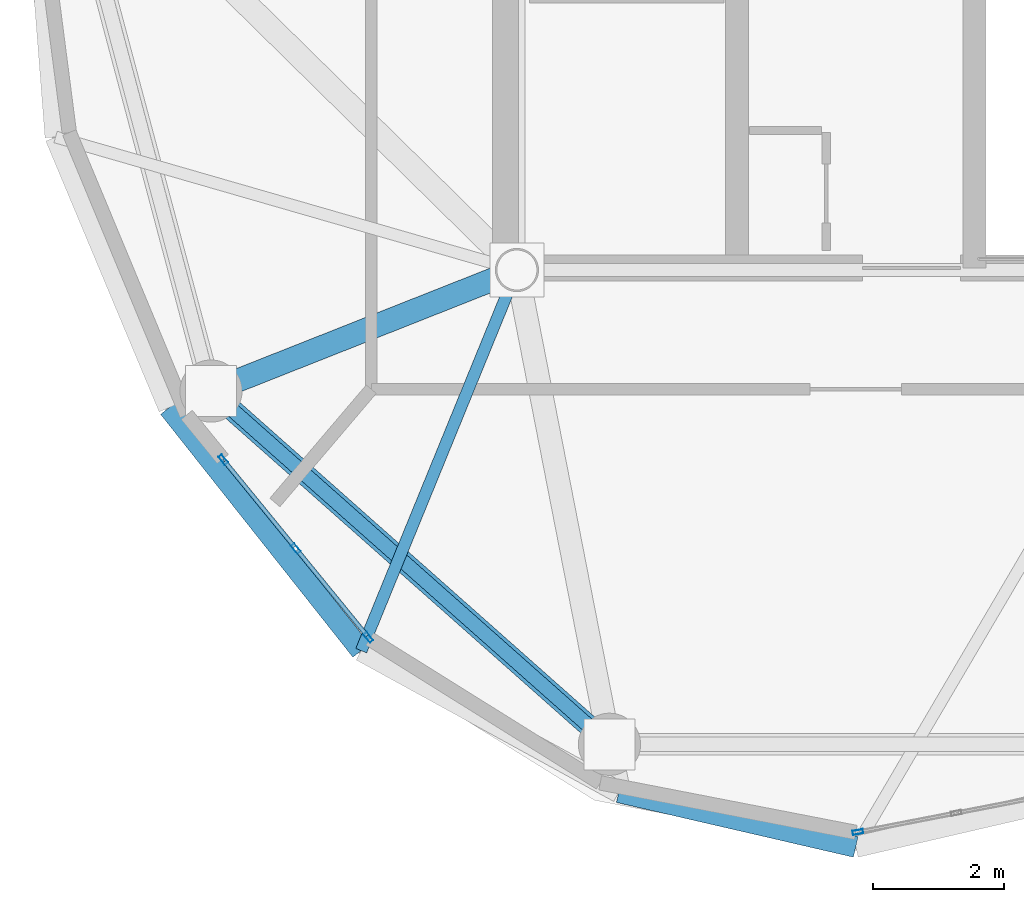
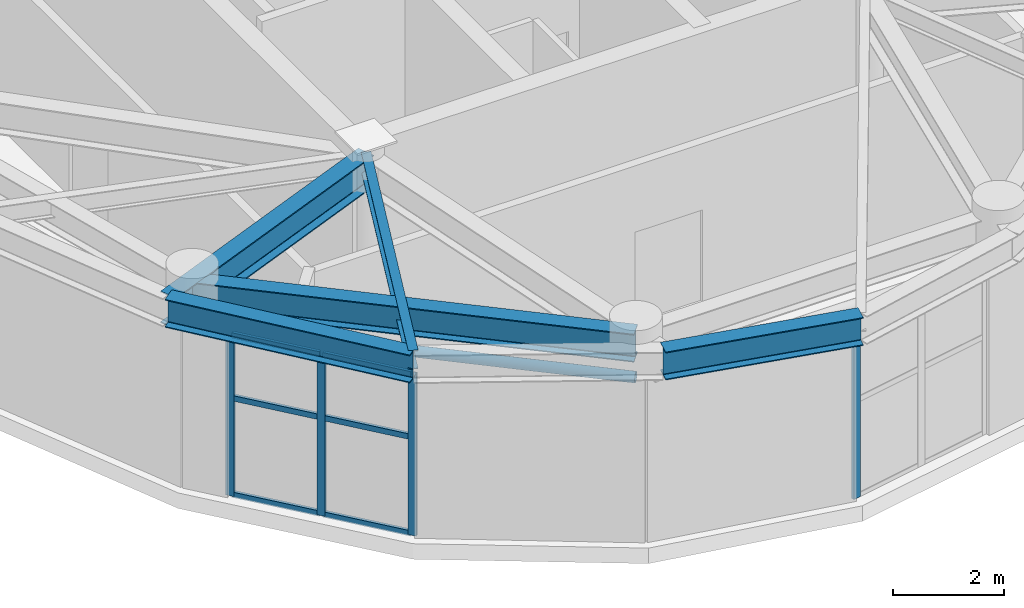
# One storey, part 2 of 26: 11 members, 5 beams, 2 elements without a shape of their own.
"""IFC4 building model written with IfcOpenShell, lengths in metres."""

from ifc_helpers import new_model, si_unit, direction, frame, origin, origin_2d, place, context, subcontext, project, spatial, hollow_rectangle, hollow_circle, i_section, extrude, material, layer, layer_set, material_profile, profile_set, type_object, element, aggregate, save


model = new_model("IFC4")

# Units and contexts
model_context = context("Model", 3, precision=1e-05, world=origin(), true_north=direction((0.0, 1.0)))
body_context = subcontext(model_context, "Body", "Model", "MODEL_VIEW")
ifc_project = project(units=[si_unit("LENGTHUNIT", "METRE"), si_unit("AREAUNIT", "SQUARE_METRE"), si_unit("VOLUMEUNIT", "CUBIC_METRE"), si_unit("PLANEANGLEUNIT", "RADIAN"), si_unit("MASSUNIT", "GRAM", prefix="KILO")], contexts=[model_context])

# Site, building, storey
site_placement = place(None, origin())
site = spatial("IfcSite", under=ifc_project, at=site_placement, CompositionType="ELEMENT")
building_placement = place(site_placement, origin())
building = spatial("IfcBuilding", under=site, at=building_placement, Name="Cununo Teusaquillo Station Towers", CompositionType="ELEMENT")
storey_placement = place(building_placement, frame((0.0, 0.0, 240.330078125)))
storey = spatial("IfcBuildingStorey", under=building, at=storey_placement, Name="L76", CompositionType="ELEMENT", Elevation=240.330078125)

# Beams
ifc_material_1 = material(Name="Steel ASTM A572 Grade 50", Category="steel")
ifc_material_profile_1 = material_profile(ifc_material_1, i_section(OverallWidth=0.180908203125, OverallDepth=0.4169921875, WebThickness=0.010986328125, FlangeThickness=0.018310546875, FilletRadius=0.012939453125, at=origin_2d()), Name="W16X57")
ifc_profile_set_1 = profile_set([ifc_material_profile_1], Name="Steel ASTM A572 Grade 50")
beam_type_1 = type_object("IfcBeamType", Name="BM-JOIST-1", PredefinedType="JOIST", material=ifc_profile_set_1)
beam_1_placement = place(storey_placement, frame((11.324951171875, 17.6201171875, 3.991455078125), z_axis=(-0.378576847217, -0.925569862707, 0.0), x_axis=(0.925569862707, -0.378576847217, 0.0)))
element("IfcBeam", 1, at=beam_1_placement, inside=storey, type_object=beam_type_1, Name="L76 Tower A Radial Spandrel Joist V13", PredefinedType="JOIST", context=body_context, shape_type="SweptSolid", body=[
    extrude(i_section(OverallWidth=0.180908203125, OverallDepth=0.4169921875, WebThickness=0.010986328125, FlangeThickness=0.018310546875, FilletRadius=0.012939453125, at=origin_2d()), origin(), (0.0, 0.0, 1.0), 6.28125),
])
ifc_material_2 = material(Name="Steel ASTM A572 Grade 50", Category="steel")
ifc_material_profile_2 = material_profile(ifc_material_2, i_section(OverallWidth=0.35498046875, OverallDepth=0.696044921875, WebThickness=0.015380859375, FlangeThickness=0.02490234375, FilletRadius=0.01806640625, at=origin_2d()), Name="W27X146")
ifc_profile_set_2 = profile_set([ifc_material_profile_2], Name="Steel ASTM A572 Grade 50")
beam_type_2 = type_object("IfcBeamType", Name="BM-PLNT-G1", PredefinedType="BEAM", material=ifc_profile_set_2)
beam_2_placement = place(storey_placement, frame((11.324951171875, 17.6201171875, 3.851806640625), z_axis=(-0.929851670487, -0.36793460138, 0.0), x_axis=(0.36793460138, -0.929851670487, 0.0)))
element("IfcBeam", 2, at=beam_2_placement, inside=storey, type_object=beam_type_2, Name="L76 Tower A Continuous Overhanging Radial Girder 07", PredefinedType="BEAM", context=body_context, shape_type="SweptSolid", body=[
    extrude(i_section(OverallWidth=0.35498046875, OverallDepth=0.696044921875, WebThickness=0.015380859375, FlangeThickness=0.02490234375, FilletRadius=0.01806640625, at=origin_2d()), origin(), (0.0, 0.0, 1.0), 5.71630859375),
])
ifc_material_3 = material(Name="Steel ASTM A572 Grade 50", Category="steel")
ifc_material_profile_3 = material_profile(ifc_material_3, i_section(OverallWidth=0.324951171875, OverallDepth=0.615966796875, WebThickness=0.013916015625, FlangeThickness=0.021484375, FilletRadius=0.01611328125, at=origin_2d()), Name="W24X117")
ifc_profile_set_3 = profile_set([ifc_material_profile_3], Name="Steel ASTM A572 Grade 50")
beam_type_3 = type_object("IfcBeamType", Name="BM-PLNT-G2", PredefinedType="BEAM", material=ifc_profile_set_3)
beam_3_placement = place(storey_placement, frame((6.652587890625, 15.771484375, 3.891845703125), z_axis=(0.74832120039, -0.66333655187, 0.0), x_axis=(0.66333655187, 0.74832120039, 0.0)))
element("IfcBeam", 3, at=beam_3_placement, inside=storey, type_object=beam_type_3, Name="L76 Tower A Structural Column Ring Girder 07", PredefinedType="BEAM", context=body_context, shape_type="SweptSolid", body=[
    extrude(i_section(OverallWidth=0.324951171875, OverallDepth=0.615966796875, WebThickness=0.013916015625, FlangeThickness=0.021484375, FilletRadius=0.01611328125, at=origin_2d()), origin(), (0.0, 0.0, 1.0), 8.1328125),
])
beam_4_placement = place(storey_placement, frame((6.009521484375, 15.516845703125, 3.891845703125), z_axis=(0.620710872531, -0.784039547932, 0.0), x_axis=(0.784039547932, 0.620710872531, 0.0)))
element("IfcBeam", 4, at=beam_4_placement, inside=storey, type_object=beam_type_3, Name="L76 Tower A Spandrel Ring Beam 13", PredefinedType="BEAM", context=body_context, shape_type="SweptSolid", body=[
    extrude(i_section(OverallWidth=0.324951171875, OverallDepth=0.615966796875, WebThickness=0.013916015625, FlangeThickness=0.021484375, FilletRadius=0.01611328125, at=origin_2d()), origin(), (0.0, 0.0, 1.0), 4.732421875),
])
beam_5_placement = place(storey_placement, frame((12.881103515625, 9.646484375, 3.891845703125), z_axis=(0.97431470066, -0.225190728224, 0.0), x_axis=(0.225190728224, 0.97431470066, 0.0)))
element("IfcBeam", 5, at=beam_5_placement, inside=storey, type_object=beam_type_3, Name="L76 Tower A Spandrel Ring Beam 15", PredefinedType="BEAM", context=body_context, shape_type="SweptSolid", body=[
    extrude(i_section(OverallWidth=0.324951171875, OverallDepth=0.615966796875, WebThickness=0.013916015625, FlangeThickness=0.021484375, FilletRadius=0.01611328125, at=origin_2d()), origin(), (0.0, 0.0, 1.0), 3.71435546875),
])

# Curtain wall, members
ifc_material_4 = material(Name="Ceramic-fritted dark low-E double glazing", Category="glass")
ifc_layer = layer(ifc_material_4, 0.179931640625)
ifc_layer_set = layer_set([ifc_layer], Name="Ceramic-fritted dark low-E double glazing")
curtain_wall_type = type_object("IfcCurtainWallType", Name="CW-SYS-08", PredefinedType="USERDEFINED", material=ifc_layer_set)
curtain_wall_1_placement = place(storey_placement, origin())
curtain_wall_1 = element("IfcCurtainWall", 6, at=curtain_wall_1_placement, inside=storey, type_object=curtain_wall_type, Name="L76 Tower A Crown Drum Glazed Screen C12", ObjectType="FRITTED GLAZING", PredefinedType="USERDEFINED")
ifc_material_5 = material(Name="Anodised dark bronze aluminium EN AW-6063-T6", Category="aluminium")
ifc_material_profile_4 = material_profile(ifc_material_5, hollow_rectangle(XDim=0.06494140625, YDim=0.159912109375, WallThickness=0.00390625, at=origin_2d()), Name="CW-MULL-65x160")
ifc_profile_set_4 = profile_set([ifc_material_profile_4], Name="Anodised dark bronze aluminium EN AW-6063-T6")
member_type_1 = type_object("IfcMemberType", Name="CWM-160", PredefinedType="MULLION", material=ifc_profile_set_4)
member_1_placement = place(storey_placement, frame((9.0556640625, 12.009765625, 0.0), z_axis=(0.0, 0.0, 1.0), x_axis=(-0.774634862696, -0.632408751913, 0.0)))
member_1 = element("IfcMember", 7, at=member_1_placement, type_object=member_type_1, Name="CW-08 mullion 1", PredefinedType="MULLION", context=body_context, shape_type="SweptSolid", body=[
    extrude(hollow_rectangle(XDim=0.06494140625, YDim=0.159912109375, WallThickness=0.00390625, at=origin_2d()), origin(), (0.0, 0.0, 1.0), 3.555908203125),
])
member_2_placement = place(storey_placement, frame((7.947998046875, 13.366455078125, 0.0), z_axis=(0.0, 0.0, 1.0), x_axis=(-0.774634862696, -0.632408751913, 0.0)))
member_2 = element("IfcMember", 8, at=member_2_placement, type_object=member_type_1, Name="CW-08 mullion 2", PredefinedType="MULLION", context=body_context, shape_type="SweptSolid", body=[
    extrude(hollow_rectangle(XDim=0.06494140625, YDim=0.159912109375, WallThickness=0.00390625, at=origin_2d()), origin(), (0.0, 0.0, 1.0), 3.555908203125),
])
member_3_placement = place(storey_placement, frame((6.84033203125, 14.723388671875, 0.0), z_axis=(0.0, 0.0, 1.0), x_axis=(-0.774634862696, -0.632408751913, 0.0)))
member_3 = element("IfcMember", 9, at=member_3_placement, type_object=member_type_1, Name="CW-08 mullion 3", PredefinedType="MULLION", context=body_context, shape_type="SweptSolid", body=[
    extrude(hollow_rectangle(XDim=0.06494140625, YDim=0.159912109375, WallThickness=0.00390625, at=origin_2d()), origin(), (0.0, 0.0, 1.0), 3.555908203125),
])

# Curtain wall, member
curtain_wall_2_placement = place(storey_placement, origin())
curtain_wall_2 = element("IfcCurtainWall", 10, at=curtain_wall_2_placement, inside=storey, type_object=curtain_wall_type, Name="L76 Tower A Crown Drum Glazed Screen C15", ObjectType="FRITTED GLAZING", PredefinedType="USERDEFINED")
member_4_placement = place(storey_placement, frame((16.531982421875, 9.0361328125, 0.0), z_axis=(0.0, 0.0, 1.0), x_axis=(0.190452618648, -0.981696388936, 0.0)))
member_4 = element("IfcMember", 11, at=member_4_placement, type_object=member_type_1, Name="CW-08 mullion 3", PredefinedType="MULLION", context=body_context, shape_type="SweptSolid", body=[
    extrude(hollow_rectangle(XDim=0.06494140625, YDim=0.159912109375, WallThickness=0.00390625, at=origin_2d()), origin(), (0.0, 0.0, 1.0), 3.555908203125),
])
aggregate(curtain_wall_2, [member_4])

# Member
ifc_material_6 = material(Name="Anodised dark bronze aluminium EN AW-6063-T6", Category="aluminium")
ifc_material_profile_5 = material_profile(ifc_material_6, hollow_rectangle(XDim=0.06494140625, YDim=0.1201171875, WallThickness=0.00390625, at=origin_2d()), Name="CW-TRAN-65x120")
ifc_profile_set_5 = profile_set([ifc_material_profile_5], Name="Anodised dark bronze aluminium EN AW-6063-T6")
member_type_2 = type_object("IfcMemberType", Name="CWT-120", PredefinedType="USERDEFINED", material=ifc_profile_set_5)
member_5_placement = place(storey_placement, frame((9.03515625, 12.034912109375, 0.032470703125), z_axis=(-0.632449173832, 0.774601860648, 0.0), x_axis=(-0.774601860648, -0.632449173832, 0.0)))
member_5 = element("IfcMember", 12, at=member_5_placement, type_object=member_type_2, Name="CW-08 transom 1.1", ObjectType="TRANSOM", PredefinedType="USERDEFINED", context=body_context, shape_type="SweptSolid", body=[
    extrude(hollow_rectangle(XDim=0.06494140625, YDim=0.1201171875, WallThickness=0.00390625, at=origin_2d()), origin(), (0.0, 0.0, 1.0), 1.6865234375),
])

member_6_placement = place(storey_placement, frame((9.03515625, 12.034912109375, 2.14990234375), z_axis=(-0.632449173832, 0.774601860648, 0.0), x_axis=(-0.774601860648, -0.632449173832, 0.0)))
member_6 = element("IfcMember", 13, at=member_6_placement, type_object=member_type_2, Name="CW-08 transom 1.2", ObjectType="TRANSOM", PredefinedType="USERDEFINED", context=body_context, shape_type="SweptSolid", body=[
    extrude(hollow_rectangle(XDim=0.06494140625, YDim=0.1201171875, WallThickness=0.00390625, at=origin_2d()), origin(), (0.0, 0.0, 1.0), 1.6865234375),
])

member_7_placement = place(storey_placement, frame((9.03515625, 12.034912109375, 3.5234375), z_axis=(-0.632449173832, 0.774601860648, 0.0), x_axis=(-0.774601860648, -0.632449173832, 0.0)))
member_7 = element("IfcMember", 14, at=member_7_placement, type_object=member_type_2, Name="CW-08 transom 1.3", ObjectType="TRANSOM", PredefinedType="USERDEFINED", context=body_context, shape_type="SweptSolid", body=[
    extrude(hollow_rectangle(XDim=0.06494140625, YDim=0.1201171875, WallThickness=0.00390625, at=origin_2d()), origin(), (0.0, 0.0, 1.0), 1.6865234375),
])

member_8_placement = place(storey_placement, frame((7.927490234375, 13.391845703125, 0.032470703125), z_axis=(-0.632449173832, 0.774601860648, 0.0), x_axis=(-0.774601860648, -0.632449173832, 0.0)))
member_8 = element("IfcMember", 15, at=member_8_placement, type_object=member_type_2, Name="CW-08 transom 2.1", ObjectType="TRANSOM", PredefinedType="USERDEFINED", context=body_context, shape_type="SweptSolid", body=[
    extrude(hollow_rectangle(XDim=0.06494140625, YDim=0.1201171875, WallThickness=0.00390625, at=origin_2d()), origin(), (0.0, 0.0, 1.0), 1.6865234375),
])

member_9_placement = place(storey_placement, frame((7.927490234375, 13.391845703125, 2.14990234375), z_axis=(-0.632449173832, 0.774601860648, 0.0), x_axis=(-0.774601860648, -0.632449173832, 0.0)))
member_9 = element("IfcMember", 16, at=member_9_placement, type_object=member_type_2, Name="CW-08 transom 2.2", ObjectType="TRANSOM", PredefinedType="USERDEFINED", context=body_context, shape_type="SweptSolid", body=[
    extrude(hollow_rectangle(XDim=0.06494140625, YDim=0.1201171875, WallThickness=0.00390625, at=origin_2d()), origin(), (0.0, 0.0, 1.0), 1.6865234375),
])

member_10_placement = place(storey_placement, frame((7.927490234375, 13.391845703125, 3.5234375), z_axis=(-0.632449173832, 0.774601860648, 0.0), x_axis=(-0.774601860648, -0.632449173832, 0.0)))
member_10 = element("IfcMember", 17, at=member_10_placement, type_object=member_type_2, Name="CW-08 transom 2.3", ObjectType="TRANSOM", PredefinedType="USERDEFINED", context=body_context, shape_type="SweptSolid", body=[
    extrude(hollow_rectangle(XDim=0.06494140625, YDim=0.1201171875, WallThickness=0.00390625, at=origin_2d()), origin(), (0.0, 0.0, 1.0), 1.6865234375),
])

aggregate(curtain_wall_1, [member_1, member_2, member_3, member_5, member_6, member_7, member_8, member_9, member_10])

ifc_material_7 = material(Name="Steel EN 10025-2 S355J2", Category="steel")
ifc_material_profile_6 = material_profile(ifc_material_7, hollow_circle(Radius=0.109619140625, WallThickness=0.010009765625, at=origin_2d()), Name="CHS 219x10")
ifc_profile_set_6 = profile_set([ifc_material_profile_6], Name="Steel EN 10025-2 S355J2")
member_type_3 = type_object("IfcMemberType", Name="MBR-DRUM-COL", PredefinedType="COLLAR", material=ifc_profile_set_6)
member_11_placement = place(storey_placement, frame((6.652587890625, 15.771484375, 3.14990234375), z_axis=(0.74832120039, -0.66333655187, 0.0), x_axis=(0.66333655187, 0.74832120039, 0.0)))
element("IfcMember", 18, at=member_11_placement, inside=storey, type_object=member_type_3, Name="L76 Tower A Crown Drum Collar 07", PredefinedType="COLLAR", context=body_context, shape_type="SweptSolid", body=[
    extrude(hollow_circle(Radius=0.109619140625, WallThickness=0.010009765625, at=origin_2d()), origin(), (0.0, 0.0, 1.0), 8.1328125),
])

save(model, "model.ifc")
